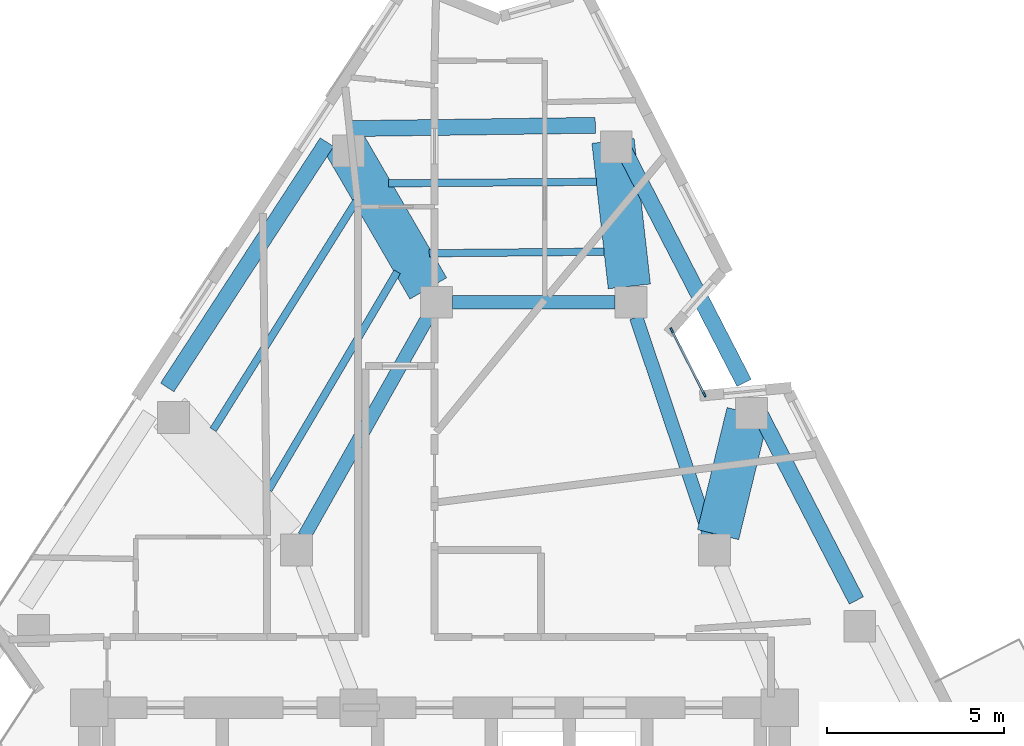
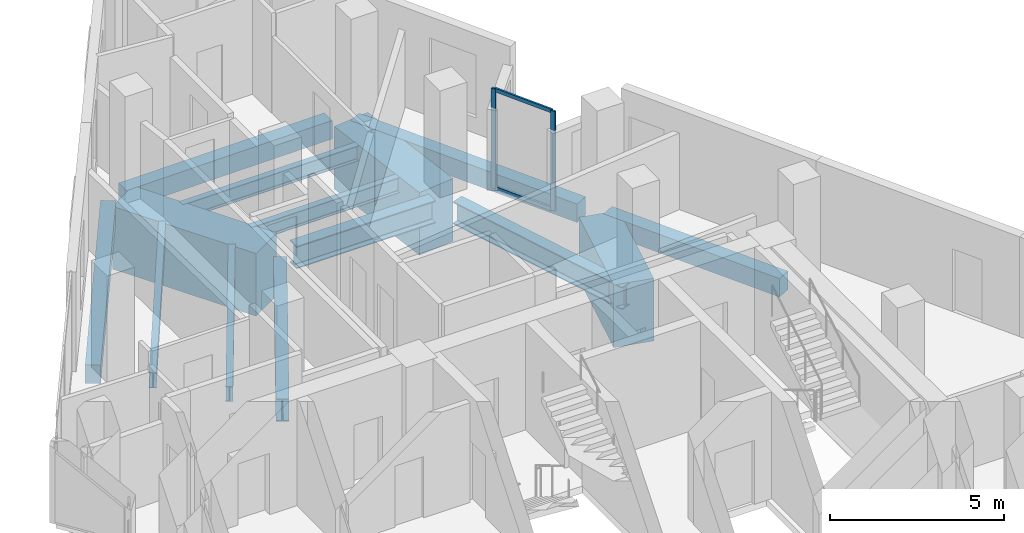
# One storey, part 3 of 10: 14 beams, 4 members, 1 element without a shape of its own.
"""IFC4 building model written with IfcOpenShell, lengths in metres."""

from ifc_helpers import new_model, si_unit, direction, frame, origin, origin_2d, place, context, subcontext, project, spatial, rectangle, i_section, extrude, material, layer, layer_set, material_profile, profile_set, type_object, element, aggregate, save


model = new_model("IFC4")

# Units and contexts
model_context = context("Model", 3, precision=1e-05, world=origin(), true_north=direction((0.0, 1.0)))
body_context = subcontext(model_context, "Body", "Model", "MODEL_VIEW")
ifc_project = project(units=[si_unit("LENGTHUNIT", "METRE"), si_unit("AREAUNIT", "SQUARE_METRE"), si_unit("VOLUMEUNIT", "CUBIC_METRE"), si_unit("PLANEANGLEUNIT", "RADIAN"), si_unit("MASSUNIT", "GRAM", prefix="KILO")], contexts=[model_context])

# Site, building, storey
site_placement = place(None, origin())
site = spatial("IfcSite", under=ifc_project, at=site_placement, CompositionType="ELEMENT")
building_placement = place(site_placement, origin())
building = spatial("IfcBuilding", under=site, at=building_placement, Name="Almagre Mirador Tower", CompositionType="ELEMENT")
storey_placement = place(building_placement, frame((0.0, 0.0, 229.5)))
storey = spatial("IfcBuildingStorey", under=building, at=storey_placement, Name="L59", CompositionType="ELEMENT", Elevation=229.5)

# Beams
ifc_material_1 = material(Name="Steel ASTM A992 Grade 50", Category="steel")
ifc_material_profile_1 = material_profile(ifc_material_1, i_section(OverallWidth=0.208984375, OverallDepth=0.532958984375, WebThickness=0.01025390625, FlangeThickness=0.015625, FilletRadius=0.01806640625, at=origin_2d()), Name="W21X62")
ifc_profile_set_1 = profile_set([ifc_material_profile_1], Name="Steel ASTM A992 Grade 50")
beam_type_1 = type_object("IfcBeamType", Name="BM-JST-W21X62", PredefinedType="JOIST", material=ifc_profile_set_1)
beam_1_placement = place(storey_placement, frame((41.8681640625, 29.600341796875, -0.5166015625), z_axis=(-0.999974974651, -0.007074607586, 0.0), x_axis=(0.007074607586, -0.999974974651, 0.0)))
element("IfcBeam", 1, at=beam_1_placement, inside=storey, type_object=beam_type_1, Name="L59 secondary floor joist PC08-PC09.1", PredefinedType="JOIST", context=body_context, shape_type="SweptSolid", body=[
    extrude(i_section(OverallWidth=0.208984375, OverallDepth=0.532958984375, WebThickness=0.01025390625, FlangeThickness=0.015625, FilletRadius=0.01806640625, at=origin_2d()), origin(), (0.0, 0.0, 1.0), 5.86669921875),
])
beam_2_placement = place(storey_placement, frame((42.08935546875, 27.627685546875, -0.5166015625), z_axis=(-0.9999590958, -0.009044707124, 0.0), x_axis=(0.009044707124, -0.9999590958, 0.0)))
element("IfcBeam", 2, at=beam_2_placement, inside=storey, type_object=beam_type_1, Name="L59 secondary floor joist PC08-PC09.3", PredefinedType="JOIST", context=body_context, shape_type="SweptSolid", body=[
    extrude(i_section(OverallWidth=0.208984375, OverallDepth=0.532958984375, WebThickness=0.01025390625, FlangeThickness=0.015625, FilletRadius=0.01806640625, at=origin_2d()), origin(), (0.0, 0.0, 1.0), 4.939697265625),
])
beam_3_placement = place(storey_placement, frame((35.08349609375, 29.0458984375, -0.5166015625), z_axis=(-0.530503838716, -0.847682533209, 0.0), x_axis=(0.847682533209, -0.530503838716, 0.0)))
element("IfcBeam", 3, at=beam_3_placement, inside=storey, type_object=beam_type_1, Name="L59 secondary floor joist PC09-PC10.1", PredefinedType="JOIST", context=body_context, shape_type="SweptSolid", body=[
    extrude(i_section(OverallWidth=0.208984375, OverallDepth=0.532958984375, WebThickness=0.01025390625, FlangeThickness=0.015625, FilletRadius=0.01806640625, at=origin_2d()), origin(), (0.0, 0.0, 1.0), 7.60498046875),
])
beam_4_placement = place(storey_placement, frame((36.2451171875, 27.060791015625, -0.5166015625), z_axis=(-0.508065548465, -0.861318407131, 0.0), x_axis=(0.861318407131, -0.508065548465, 0.0)))
element("IfcBeam", 4, at=beam_4_placement, inside=storey, type_object=beam_type_1, Name="L59 secondary floor joist PC09-PC10.3", PredefinedType="JOIST", context=body_context, shape_type="SweptSolid", body=[
    extrude(i_section(OverallWidth=0.208984375, OverallDepth=0.532958984375, WebThickness=0.01025390625, FlangeThickness=0.015625, FilletRadius=0.01806640625, at=origin_2d()), origin(), (0.0, 0.0, 1.0), 7.151611328125),
])
ifc_material_2 = material(Name="Precast concrete C50/60", Category="concrete")
ifc_material_profile_2 = material_profile(ifc_material_2, rectangle(XDim=0.449951171875, YDim=0.64990234375, at=origin_2d()), Name="RC450X650")
ifc_profile_set_2 = profile_set([ifc_material_profile_2], Name="Precast concrete C50/60")
beam_type_2 = type_object("IfcBeamType", Name="BM-SPN-RC450X650", PredefinedType="SPANDREL", material=ifc_profile_set_2)
beam_5_placement = place(storey_placement, frame((49.210693359375, 17.778076171875, -0.574951171875), z_axis=(-0.458304670179, 0.888795155979, 0.0), x_axis=(-0.888795155979, -0.458304670179, 0.0)))
element("IfcBeam", 5, at=beam_5_placement, inside=storey, type_object=beam_type_2, Name="L59 perimeter spandrel beam PC06-PC07", PredefinedType="SPANDREL", context=body_context, shape_type="SweptSolid", body=[
    extrude(rectangle(XDim=0.449951171875, YDim=0.64990234375, at=origin_2d()), origin(), (0.0, 0.0, 1.0), 6.0126953125),
])
beam_6_placement = place(storey_placement, frame((46.042724609375, 23.922119140625, -0.574951171875), z_axis=(-0.45830626259, 0.888794334855, 0.0), x_axis=(-0.888794334855, -0.45830626259, 0.0)))
element("IfcBeam", 6, at=beam_6_placement, inside=storey, type_object=beam_type_2, Name="L59 perimeter spandrel beam PC07-PC08", PredefinedType="SPANDREL", context=body_context, shape_type="SweptSolid", body=[
    extrude(rectangle(XDim=0.449951171875, YDim=0.64990234375, at=origin_2d()), origin(), (0.0, 0.0, 1.0), 7.74072265625),
])
beam_7_placement = place(storey_placement, frame((41.839111328125, 31.19580078125, -0.574951171875), z_axis=(-0.999909177083, -0.013477298879, 0.0), x_axis=(0.013477298879, -0.999909177083, 0.0)))
element("IfcBeam", 7, at=beam_7_placement, inside=storey, type_object=beam_type_2, Name="L59 perimeter spandrel beam PC08-PC09", PredefinedType="SPANDREL", context=body_context, shape_type="SweptSolid", body=[
    extrude(rectangle(XDim=0.449951171875, YDim=0.64990234375, at=origin_2d()), origin(), (0.0, 0.0, 1.0), 6.8837890625),
])
beam_8_placement = place(storey_placement, frame((34.260498046875, 30.719970703125, -0.574951171875), z_axis=(-0.545607073801, -0.838041121317, 0.0), x_axis=(0.838041121317, -0.545607073801, 0.0)))
element("IfcBeam", 8, at=beam_8_placement, inside=storey, type_object=beam_type_2, Name="L59 perimeter spandrel beam PC09-PC10", PredefinedType="SPANDREL", context=body_context, shape_type="SweptSolid", body=[
    extrude(rectangle(XDim=0.449951171875, YDim=0.64990234375, at=origin_2d()), origin(), (0.0, 0.0, 1.0), 8.26416015625),
])
ifc_material_3 = material(Name="Steel ASTM A992 Grade 50", Category="steel")
ifc_material_profile_3 = material_profile(ifc_material_3, i_section(OverallWidth=0.384033203125, OverallDepth=0.784912109375, WebThickness=0.019775390625, FlangeThickness=0.033447265625, FilletRadius=0.02392578125, at=origin_2d()), Name="W30X211")
ifc_profile_set_3 = profile_set([ifc_material_profile_3], Name="Steel ASTM A992 Grade 50")
beam_type_3 = type_object("IfcBeamType", Name="BM-STL-W30X211", PredefinedType="BEAM", material=ifc_profile_set_3)
beam_9_placement = place(storey_placement, frame((37.800048828125, 26.199951171875, -0.642578125), z_axis=(1.0, 0.0, 0.0), x_axis=(0.0, 1.0, 0.0)))
element("IfcBeam", 9, at=beam_9_placement, inside=storey, type_object=beam_type_3, Name="L59 core tie girder MC7-MC6", PredefinedType="BEAM", context=body_context, shape_type="SweptSolid", body=[
    extrude(i_section(OverallWidth=0.384033203125, OverallDepth=0.784912109375, WebThickness=0.019775390625, FlangeThickness=0.033447265625, FilletRadius=0.02392578125, at=origin_2d()), origin(), (0.0, 0.0, 1.0), 4.599853515625),
])
beam_10_placement = place(storey_placement, frame((42.9931640625, 25.7734375, -0.642578125), z_axis=(0.318282890726, -0.947995781357, 0.0), x_axis=(0.947995781357, 0.318282890726, 0.0)))
element("IfcBeam", 10, at=beam_10_placement, inside=storey, type_object=beam_type_3, Name="L59 core tie girder MC6-MC5", PredefinedType="BEAM", context=body_context, shape_type="SweptSolid", body=[
    extrude(i_section(OverallWidth=0.384033203125, OverallDepth=0.784912109375, WebThickness=0.019775390625, FlangeThickness=0.033447265625, FilletRadius=0.02392578125, at=origin_2d()), origin(), (0.0, 0.0, 1.0), 6.48388671875),
])
beam_11_placement = place(storey_placement, frame((37.12890625, 25.80810546875, -0.642578125), z_axis=(-0.491446261843, -0.870907900825, 0.0), x_axis=(0.870907900825, -0.491446261843, 0.0)))
element("IfcBeam", 11, at=beam_11_placement, inside=storey, type_object=beam_type_3, Name="L59 core tie girder MC7-MC8", PredefinedType="BEAM", context=body_context, shape_type="SweptSolid", body=[
    extrude(i_section(OverallWidth=0.384033203125, OverallDepth=0.784912109375, WebThickness=0.019775390625, FlangeThickness=0.033447265625, FilletRadius=0.02392578125, at=origin_2d()), origin(), (0.0, 0.0, 1.0), 7.1376953125),
])
ifc_material_4 = material(Name="Concrete C60/75", Category="concrete")
ifc_material_profile_4 = material_profile(ifc_material_4, rectangle(XDim=1.199951171875, YDim=2.199951171875, at=origin_2d()), Name="RC1200X2200")
ifc_profile_set_4 = profile_set([ifc_material_profile_4], Name="Concrete C60/75")
beam_type_4 = type_object("IfcBeamType", Name="BM-XFER-RC1200X2200", PredefinedType="BEAM", material=ifc_profile_set_4)
beam_12_placement = place(storey_placement, frame((46.142822265625, 23.084716796875, -1.35009765625), z_axis=(-0.235842287006, -0.971791343684, 0.0), x_axis=(0.971791343684, -0.235842287006, 0.0)))
element("IfcBeam", 12, at=beam_12_placement, inside=storey, type_object=beam_type_4, Name="L59 radial transfer girder PC07-MC5", PredefinedType="BEAM", context=body_context, shape_type="SweptSolid", body=[
    extrude(rectangle(XDim=1.199951171875, YDim=2.199951171875, at=origin_2d()), origin(), (0.0, 0.0, 1.0), 3.547607421875),
])
beam_13_placement = place(storey_placement, frame((42.339111328125, 30.7548828125, -1.35009765625), z_axis=(0.111455741765, -0.993769398617, 0.0), x_axis=(0.993769398617, 0.111455741765, 0.0)))
element("IfcBeam", 13, at=beam_13_placement, inside=storey, type_object=beam_type_4, Name="L59 radial transfer girder PC08-MC6", PredefinedType="BEAM", context=body_context, shape_type="SweptSolid", body=[
    extrude(rectangle(XDim=1.199951171875, YDim=2.199951171875, at=origin_2d()), origin(), (0.0, 0.0, 1.0), 4.13330078125),
])
beam_14_placement = place(storey_placement, frame((34.73193359375, 30.7080078125, -1.35009765625), z_axis=(0.502209707608, -0.864745864161, 0.0), x_axis=(0.864745864161, 0.502209707608, 0.0)))
element("IfcBeam", 14, at=beam_14_placement, inside=storey, type_object=beam_type_4, Name="L59 radial transfer girder PC09-MC7", PredefinedType="BEAM", context=body_context, shape_type="SweptSolid", body=[
    extrude(rectangle(XDim=1.199951171875, YDim=2.199951171875, at=origin_2d()), origin(), (0.0, 0.0, 1.0), 4.76318359375),
])

# Curtain wall, members
ifc_material_5 = material(Name="Black anodized aluminium", Category="aluminium")
ifc_layer = layer(ifc_material_5, 0.169921875)
ifc_layer_set = layer_set([ifc_layer], Name="Black anodized aluminium")
curtain_wall_type = type_object("IfcCurtainWallType", Name="CW-CRS-SYS", PredefinedType="NOTDEFINED", material=ifc_layer_set)
curtain_wall_placement = place(storey_placement, origin())
curtain_wall = element("IfcCurtainWall", 15, at=curtain_wall_placement, inside=storey, type_object=curtain_wall_type, Name="L59 vertical crease curtain wall 03", PredefinedType="NOTDEFINED")
ifc_material_6 = material(Name="Black anodized aluminium", Category="aluminium")
ifc_material_profile_5 = material_profile(ifc_material_6, rectangle(XDim=0.06005859375, YDim=0.14990234375, at=origin_2d()), Name="CWM60X150")
ifc_profile_set_5 = profile_set([ifc_material_profile_5], Name="Black anodized aluminium")
member_type_1 = type_object("IfcMemberType", Name="MBR-CWM60X150", PredefinedType="MULLION", material=ifc_profile_set_5)
member_1_placement = place(storey_placement, frame((43.99755859375, 25.40625, 0.0), z_axis=(0.0, 0.0, 1.0), x_axis=(0.891732118686, 0.452563618183, 0.0)))
member_1 = element("IfcMember", 16, at=member_1_placement, type_object=member_type_1, Name="CW-4 mullion 1", PredefinedType="MULLION", context=body_context, shape_type="SweptSolid", body=[
    extrude(rectangle(XDim=0.06005859375, YDim=0.14990234375, at=origin_2d()), origin(), (0.0, 0.0, 1.0), 3.5),
])
member_2_placement = place(storey_placement, frame((44.91650390625, 23.595703125, 0.0), z_axis=(0.0, 0.0, 1.0), x_axis=(0.891732118686, 0.452563618183, 0.0)))
member_2 = element("IfcMember", 17, at=member_2_placement, type_object=member_type_1, Name="CW-4 mullion 2", PredefinedType="MULLION", context=body_context, shape_type="SweptSolid", body=[
    extrude(rectangle(XDim=0.06005859375, YDim=0.14990234375, at=origin_2d()), origin(), (0.0, 0.0, 1.0), 3.5),
])
ifc_material_7 = material(Name="Black anodized aluminium", Category="aluminium")
ifc_material_profile_6 = material_profile(ifc_material_7, rectangle(XDim=0.06005859375, YDim=0.1298828125, at=origin_2d()), Name="CWT60X130")
ifc_profile_set_6 = profile_set([ifc_material_profile_6], Name="Black anodized aluminium")
member_type_2 = type_object("IfcMemberType", Name="MBR-CWT60X130", PredefinedType="USERDEFINED", material=ifc_profile_set_6)
member_3_placement = place(storey_placement, frame((44.01123046875, 25.37939453125, 0.030029296875), z_axis=(0.45255896606, -0.891734479674, 0.0), x_axis=(0.891734479674, 0.45255896606, 0.0)))
member_3 = element("IfcMember", 18, at=member_3_placement, type_object=member_type_2, Name="CW-4 transom 1.1", ObjectType="TRANSOM", PredefinedType="USERDEFINED", context=body_context, shape_type="SweptSolid", body=[
    extrude(rectangle(XDim=0.06005859375, YDim=0.1298828125, at=origin_2d()), origin(), (0.0, 0.0, 1.0), 1.97021484375),
])
member_4_placement = place(storey_placement, frame((44.01123046875, 25.37939453125, 3.469970703125), z_axis=(0.45255896606, -0.891734479674, 0.0), x_axis=(0.891734479674, 0.45255896606, 0.0)))
member_4 = element("IfcMember", 19, at=member_4_placement, type_object=member_type_2, Name="CW-4 transom 1.2", ObjectType="TRANSOM", PredefinedType="USERDEFINED", context=body_context, shape_type="SweptSolid", body=[
    extrude(rectangle(XDim=0.06005859375, YDim=0.1298828125, at=origin_2d()), origin(), (0.0, 0.0, 1.0), 1.97021484375),
])
aggregate(curtain_wall, [member_1, member_2, member_3, member_4])

save(model, "model.ifc")
